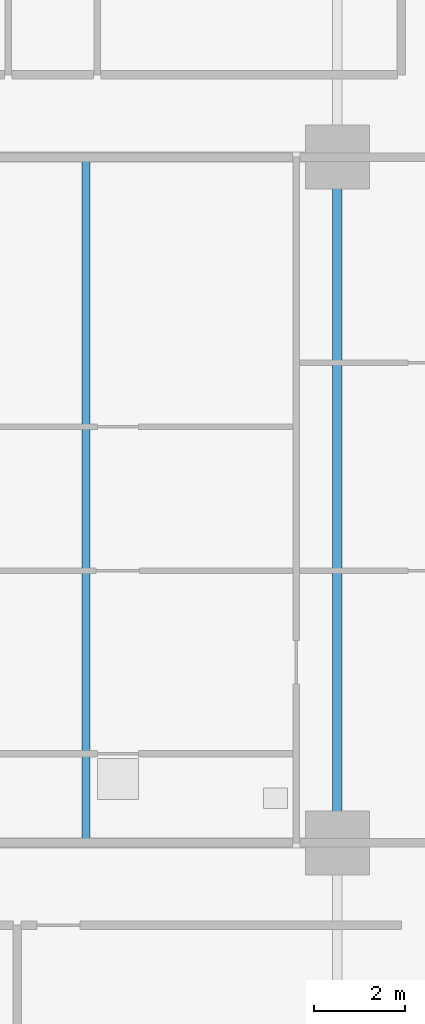
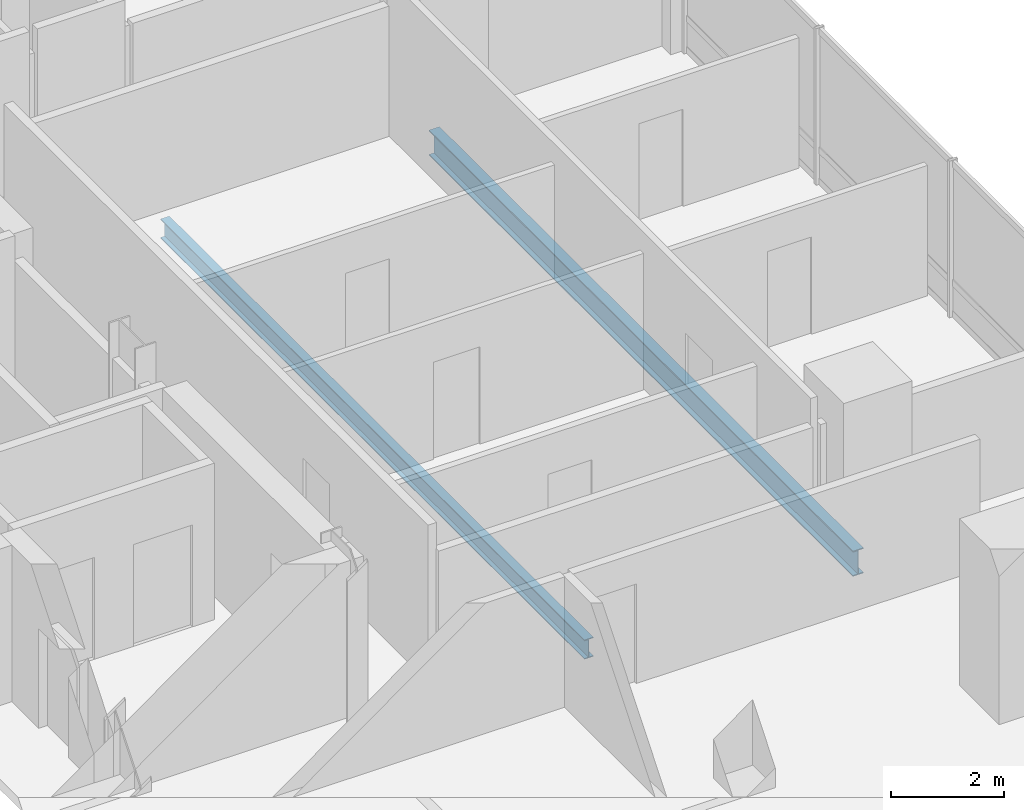
# One storey, part 9 of 23: 2 beams.
"""IFC4 building model written with IfcOpenShell, lengths in metres."""

from ifc_helpers import new_model, si_unit, direction, frame, origin, origin_2d, place, context, subcontext, project, spatial, i_section, extrude, material, material_profile, profile_set, type_object, element, save


model = new_model("IFC4")

# Units and contexts
model_context = context("Model", 3, precision=1e-05, world=origin(), true_north=direction((0.0, 1.0)))
body_context = subcontext(model_context, "Body", "Model", "MODEL_VIEW")
ifc_project = project(units=[si_unit("LENGTHUNIT", "METRE"), si_unit("AREAUNIT", "SQUARE_METRE"), si_unit("VOLUMEUNIT", "CUBIC_METRE"), si_unit("PLANEANGLEUNIT", "RADIAN"), si_unit("MASSUNIT", "GRAM", prefix="KILO")], contexts=[model_context])

# Site, building, storey
site_placement = place(None, origin())
site = spatial("IfcSite", under=ifc_project, at=site_placement, CompositionType="ELEMENT")
building_placement = place(site_placement, origin())
building = spatial("IfcBuilding", under=site, at=building_placement, Name="Barlavira Tower and Art Museum", CompositionType="ELEMENT")
storey_placement = place(building_placement, frame((0.0, 0.0, 64.800048828125)))
storey = spatial("IfcBuildingStorey", under=building, at=storey_placement, Name="L15", CompositionType="ELEMENT", Elevation=64.800048828125)

# Beams
ifc_material = material(Name="Steel S355", Category="steel")
ifc_material_profile_1 = material_profile(ifc_material, i_section(OverallWidth=0.180908203125, OverallDepth=0.4169921875, WebThickness=0.010986328125, FlangeThickness=0.018310546875, at=origin_2d()), Name="W410x85.0")
ifc_profile_set_1 = profile_set([ifc_material_profile_1], Name="Steel S355")
beam_type_1 = type_object("IfcBeamType", Name="Zone 1 Composite Floor Joist W410x85 Steel S355", PredefinedType="JOIST", material=ifc_profile_set_1)
beam_1_placement = place(storey_placement, frame((11.5, -7.5, -0.428466796875), z_axis=(0.0, 1.0, 0.0), x_axis=(-1.0, 0.0, 0.0)))
element("IfcBeam", 1, at=beam_1_placement, inside=storey, type_object=beam_type_1, Name="L15 Joist W2", PredefinedType="JOIST", context=body_context, shape_type="SweptSolid", body=[
    extrude(i_section(OverallWidth=0.180908203125, OverallDepth=0.4169921875, WebThickness=0.010986328125, FlangeThickness=0.018310546875, at=origin_2d()), origin(), (0.0, 0.0, 1.0), 15.0),
])
ifc_material_profile_2 = material_profile(ifc_material, i_section(OverallWidth=0.214111328125, OverallDepth=0.549072265625, WebThickness=0.0146484375, FlangeThickness=0.023681640625, at=origin_2d()), Name="W530x138.0")
ifc_profile_set_2 = profile_set([ifc_material_profile_2], Name="Steel S355")
beam_type_2 = type_object("IfcBeamType", Name="Zone 1 Primary Floor Girder W530x138 Steel S355", PredefinedType="BEAM", material=ifc_profile_set_2)
beam_2_placement = place(storey_placement, frame((17.0, -7.5, -0.49462890625), z_axis=(0.0, 1.0, 0.0), x_axis=(-1.0, 0.0, 0.0)))
element("IfcBeam", 2, at=beam_2_placement, inside=storey, type_object=beam_type_2, Name="L15 Girder M-E2", PredefinedType="BEAM", context=body_context, shape_type="SweptSolid", body=[
    extrude(i_section(OverallWidth=0.214111328125, OverallDepth=0.549072265625, WebThickness=0.0146484375, FlangeThickness=0.023681640625, at=origin_2d()), origin(), (0.0, 0.0, 1.0), 15.0),
])

save(model, "model.ifc")
